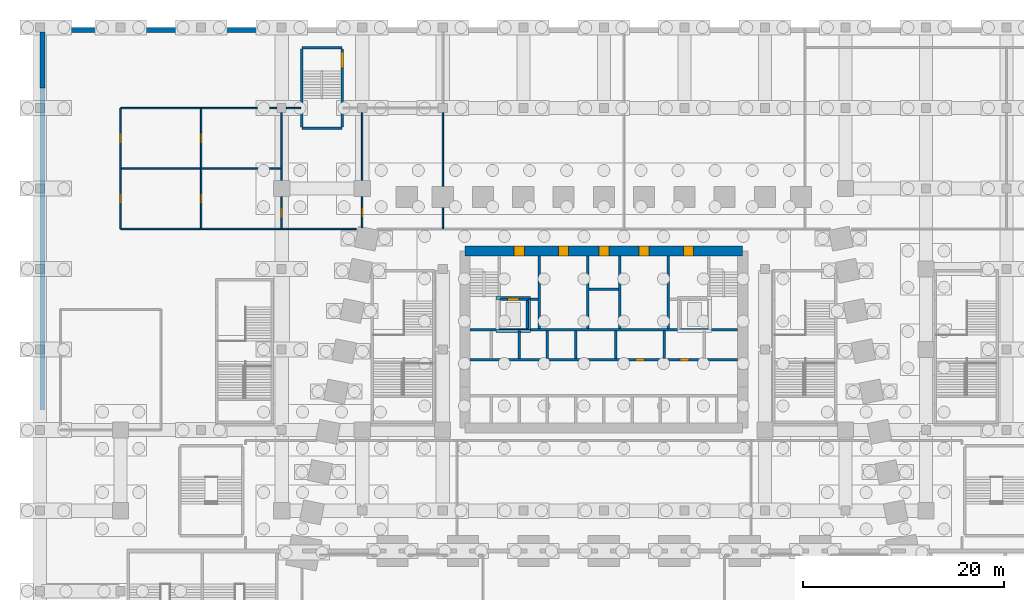
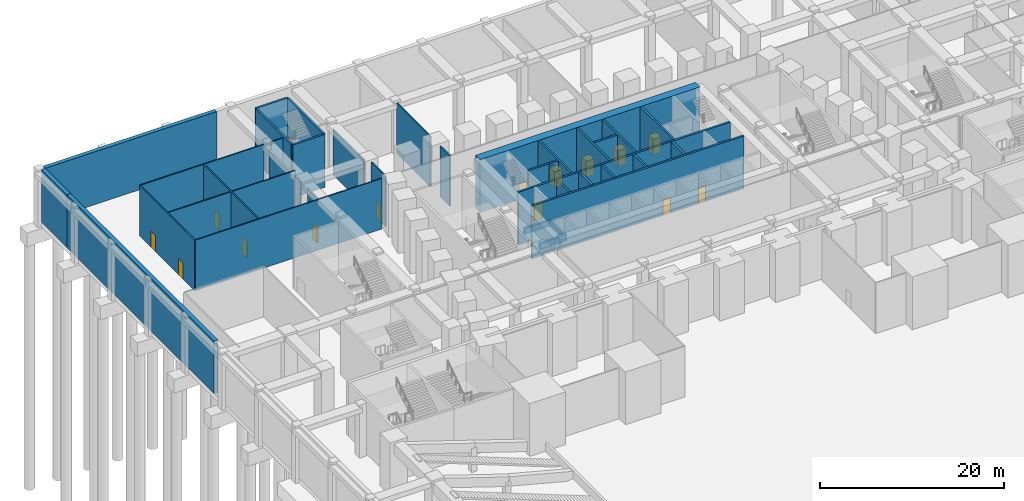
# One storey, part 11 of 30: 37 walls, 15 doors, 15 openings.
"""IFC4 building model written with IfcOpenShell, lengths in metres."""

from ifc_helpers import new_model, si_unit, direction, frame, frame_2d, origin, place, context, subcontext, project, spatial, rectangle, extrude, material, layer, layer_set, type_object, element, fill, save


model = new_model("IFC4")

# Units and contexts
model_context = context("Model", 3, precision=1e-05, world=origin(), true_north=direction((0.0, 1.0)))
body_context = subcontext(model_context, "Body", "Model", "MODEL_VIEW")
ifc_project = project(units=[si_unit("LENGTHUNIT", "METRE"), si_unit("AREAUNIT", "SQUARE_METRE"), si_unit("VOLUMEUNIT", "CUBIC_METRE"), si_unit("PLANEANGLEUNIT", "RADIAN"), si_unit("MASSUNIT", "GRAM", prefix="KILO")], contexts=[model_context])

# Site, building, storey
site_placement = place(None, origin())
site = spatial("IfcSite", under=ifc_project, at=site_placement, CompositionType="ELEMENT")
building_placement = place(site_placement, origin())
building = spatial("IfcBuilding", under=site, at=building_placement, Name="Isbrekke Arena Tower", CompositionType="ELEMENT")
storey_placement = place(building_placement, frame((0.0, 0.0, -7.0)))
storey = spatial("IfcBuildingStorey", under=building, at=storey_placement, Name="B1", CompositionType="ELEMENT", Elevation=-7.0)

# Wall, openings, doors
ifc_material_1 = material(Name="Concrete B65 (C65/80)", Category="concrete")
ifc_layer_1 = layer(ifc_material_1, 1.0)
ifc_layer_set_1 = layer_set([ifc_layer_1], Name="CW1 CORE WALL 1000")
wall_type_1 = type_object("IfcWallType", Name="CW1 CORE WALL 1000", PredefinedType="SHEAR", material=ifc_layer_set_1)
wall_1_placement = place(storey_placement, frame((13.800048828125, 23.800048828125, 0.0), z_axis=(0.0, 0.0, 1.0), x_axis=(-1.0, 0.0, 0.0)))
wall_1 = element("IfcWall", 1, at=wall_1_placement, inside=storey, type_object=wall_type_1, Name="Core wall N B1", PredefinedType="SHEAR", context=body_context, shape_type="SweptSolid", body=[
    extrude(rectangle(XDim=27.60009765625, YDim=1.0, at=frame_2d((13.800048828125, 0.0))), origin(), (0.0, 0.0, 1.0), 7.0),
])
opening_1_placement = place(wall_1_placement, frame((21.699951171875, 0.0, 0.0)))
opening_1 = element("IfcOpeningElement", 2, at=opening_1_placement, cuts=wall_1, Name="Opening D3", PredefinedType="OPENING", context=body_context, shape_type="SweptSolid", body=[
    extrude(rectangle(XDim=1.0, YDim=2.10009765625, at=frame_2d((0.5, 1.050048828125))), frame((0.0, 0.514892578125, 0.0), z_axis=(0.0, -1.0, 0.0), x_axis=(1.0, 0.0, 0.0)), (0.0, 0.0, 1.0), 1.02978515625),
])
opening_2_placement = place(wall_1_placement, frame((4.89990234375, 0.0, 0.0)))
opening_2 = element("IfcOpeningElement", 3, at=opening_2_placement, cuts=wall_1, Name="Opening D3", PredefinedType="OPENING", context=body_context, shape_type="SweptSolid", body=[
    extrude(rectangle(XDim=1.0, YDim=2.10009765625, at=frame_2d((0.5, 1.050048828125))), frame((0.0, 0.514892578125, 0.0), z_axis=(0.0, -1.0, 0.0), x_axis=(1.0, 0.0, 0.0)), (0.0, 0.0, 1.0), 1.02978515625),
])
opening_3_placement = place(wall_1_placement, frame((17.300048828125, 0.0, 0.0)))
opening_3 = element("IfcOpeningElement", 4, at=opening_3_placement, cuts=wall_1, Name="Opening D4", PredefinedType="OPENING", context=body_context, shape_type="SweptSolid", body=[
    extrude(rectangle(XDim=1.0, YDim=2.10009765625, at=frame_2d((0.5, 1.050048828125))), frame((0.0, 0.514892578125, 0.0), z_axis=(0.0, -1.0, 0.0), x_axis=(1.0, 0.0, 0.0)), (0.0, 0.0, 1.0), 1.02978515625),
])
opening_4_placement = place(wall_1_placement, frame((13.300048828125, 0.0, 0.0)))
opening_4 = element("IfcOpeningElement", 5, at=opening_4_placement, cuts=wall_1, Name="Opening D4", PredefinedType="OPENING", context=body_context, shape_type="SweptSolid", body=[
    extrude(rectangle(XDim=1.0, YDim=2.10009765625, at=frame_2d((0.5, 1.050048828125))), frame((0.0, 0.514892578125, 0.0), z_axis=(0.0, -1.0, 0.0), x_axis=(1.0, 0.0, 0.0)), (0.0, 0.0, 1.0), 1.02978515625),
])
opening_5_placement = place(wall_1_placement, frame((9.300048828125, 0.0, 0.0)))
opening_5 = element("IfcOpeningElement", 6, at=opening_5_placement, cuts=wall_1, Name="Opening D4", PredefinedType="OPENING", context=body_context, shape_type="SweptSolid", body=[
    extrude(rectangle(XDim=1.0, YDim=2.10009765625, at=frame_2d((0.5, 1.050048828125))), frame((0.0, 0.514892578125, 0.0), z_axis=(0.0, -1.0, 0.0), x_axis=(1.0, 0.0, 0.0)), (0.0, 0.0, 1.0), 1.02978515625),
])
ifc_material_2 = material(Name="Steel fire door", Category="steel")
door_type_1 = type_object("IfcDoorType", Name="D3 FIRE LOBBY DOOR 1000 x 2100", OperationType="SINGLE_SWING_RIGHT", PredefinedType="DOOR", material=ifc_material_2)
door_1_placement = place(opening_1_placement, origin())
door_1 = element("IfcDoor", 7, at=door_1_placement, inside=storey, type_object=door_type_1, Name="D3 fire-fighting lobby door B1", OperationType="SINGLE_SWING_RIGHT", OverallHeight=2.10009765625, OverallWidth=1.0, PredefinedType="DOOR", context=body_context, shape_type="SweptSolid", body=[
    extrude(rectangle(XDim=1.0, YDim=2.10009765625, at=frame_2d((0.5, 1.050048828125))), frame((0.0, 0.499755859375, 0.0), z_axis=(0.0, -1.0, 0.0), x_axis=(1.0, 0.0, 0.0)), (0.0, 0.0, 1.0), 0.99951171875),
])
fill(opening_1, door_1)
door_2_placement = place(opening_2_placement, origin())
door_2 = element("IfcDoor", 8, at=door_2_placement, inside=storey, type_object=door_type_1, Name="D3 fire-fighting lobby door B1", OperationType="SINGLE_SWING_RIGHT", OverallHeight=2.10009765625, OverallWidth=1.0, PredefinedType="DOOR", context=body_context, shape_type="SweptSolid", body=[
    extrude(rectangle(XDim=1.0, YDim=2.10009765625, at=frame_2d((0.5, 1.050048828125))), frame((0.0, 0.499755859375, 0.0), z_axis=(0.0, -1.0, 0.0), x_axis=(1.0, 0.0, 0.0)), (0.0, 0.0, 1.0), 0.99951171875),
])
fill(opening_2, door_2)
ifc_material_3 = material(Name="Timber door", Category="wood")
door_type_2 = type_object("IfcDoorType", Name="D4 WC DOOR 1000 x 2100", OperationType="SINGLE_SWING_LEFT", PredefinedType="DOOR", material=ifc_material_3)
door_3_placement = place(opening_3_placement, origin())
door_3 = element("IfcDoor", 9, at=door_3_placement, inside=storey, type_object=door_type_2, Name="D4 wc female door B1", OperationType="SINGLE_SWING_LEFT", OverallHeight=2.10009765625, OverallWidth=1.0, PredefinedType="DOOR", context=body_context, shape_type="SweptSolid", body=[
    extrude(rectangle(XDim=1.0, YDim=2.10009765625, at=frame_2d((0.5, 1.050048828125))), frame((0.0, 0.499755859375, 0.0), z_axis=(0.0, -1.0, 0.0), x_axis=(1.0, 0.0, 0.0)), (0.0, 0.0, 1.0), 0.99951171875),
])
fill(opening_3, door_3)
door_4_placement = place(opening_4_placement, origin())
door_4 = element("IfcDoor", 10, at=door_4_placement, inside=storey, type_object=door_type_2, Name="D4 accessible wc door B1", OperationType="SINGLE_SWING_LEFT", OverallHeight=2.10009765625, OverallWidth=1.0, PredefinedType="DOOR", context=body_context, shape_type="SweptSolid", body=[
    extrude(rectangle(XDim=1.0, YDim=2.10009765625, at=frame_2d((0.5, 1.050048828125))), frame((0.0, 0.499755859375, 0.0), z_axis=(0.0, -1.0, 0.0), x_axis=(1.0, 0.0, 0.0)), (0.0, 0.0, 1.0), 0.99951171875),
])
fill(opening_4, door_4)
door_5_placement = place(opening_5_placement, origin())
door_5 = element("IfcDoor", 11, at=door_5_placement, inside=storey, type_object=door_type_2, Name="D4 wc male door B1", OperationType="SINGLE_SWING_LEFT", OverallHeight=2.10009765625, OverallWidth=1.0, PredefinedType="DOOR", context=body_context, shape_type="SweptSolid", body=[
    extrude(rectangle(XDim=1.0, YDim=2.10009765625, at=frame_2d((0.5, 1.050048828125))), frame((0.0, 0.499755859375, 0.0), z_axis=(0.0, -1.0, 0.0), x_axis=(1.0, 0.0, 0.0)), (0.0, 0.0, 1.0), 0.99951171875),
])
fill(opening_5, door_5)

ifc_material_4 = material(Name="Concrete B45 (C45/55)", Category="concrete")
ifc_layer_2 = layer(ifc_material_4, 0.25)
ifc_layer_set_2 = layer_set([ifc_layer_2], Name="CW6 SHAFT WALL 250")
wall_type_2 = type_object("IfcWallType", Name="CW6 SHAFT WALL 250", PredefinedType="SHEAR", material=ifc_layer_set_2)
wall_2_placement = place(storey_placement, frame((-13.300048828125, 13.0, 0.0), z_axis=(0.0, 0.0, 1.0), x_axis=(1.0, 0.0, 0.0)))
wall_2 = element("IfcWall", 12, at=wall_2_placement, inside=storey, type_object=wall_type_2, Name="Core wall LN B1", PredefinedType="SHEAR", context=body_context, shape_type="SweptSolid", body=[
    extrude(rectangle(XDim=26.60009765625, YDim=0.25, at=frame_2d((13.300048828125, 0.0))), origin(), (0.0, 0.0, 1.0), 7.0),
])
opening_6_placement = place(wall_2_placement, frame((16.449951171875, 0.0, 0.0)))
opening_6 = element("IfcOpeningElement", 13, at=opening_6_placement, cuts=wall_2, Name="Opening D5", PredefinedType="OPENING", context=body_context, shape_type="SweptSolid", body=[
    extrude(rectangle(XDim=0.89990234375, YDim=2.10009765625, at=frame_2d((0.449951171875, 1.050048828125))), frame((0.0, 0.139892578125, 0.0), z_axis=(0.0, -1.0, 0.0), x_axis=(1.0, 0.0, 0.0)), (0.0, 0.0, 1.0), 0.27978515625),
])
opening_7_placement = place(wall_2_placement, frame((20.85009765625, 0.0, 0.0)))
opening_7 = element("IfcOpeningElement", 14, at=opening_7_placement, cuts=wall_2, Name="Opening D5", PredefinedType="OPENING", context=body_context, shape_type="SweptSolid", body=[
    extrude(rectangle(XDim=0.89990234375, YDim=2.10009765625, at=frame_2d((0.449951171875, 1.050048828125))), frame((0.0, 0.139892578125, 0.0), z_axis=(0.0, -1.0, 0.0), x_axis=(1.0, 0.0, 0.0)), (0.0, 0.0, 1.0), 0.27978515625),
])
ifc_material_5 = material(Name="Steel fire door", Category="steel")
door_type_3 = type_object("IfcDoorType", Name="D5 SERVICE DOOR 900 x 2100", OperationType="SINGLE_SWING_LEFT", PredefinedType="DOOR", material=ifc_material_5)
door_6_placement = place(opening_6_placement, origin())
door_6 = element("IfcDoor", 15, at=door_6_placement, inside=storey, type_object=door_type_3, Name="D5 cleaner's store door B1", OperationType="SINGLE_SWING_LEFT", OverallHeight=2.10009765625, OverallWidth=0.89990234375, PredefinedType="DOOR", context=body_context, shape_type="SweptSolid", body=[
    extrude(rectangle(XDim=0.89990234375, YDim=2.10009765625, at=frame_2d((0.449951171875, 1.050048828125))), frame((0.0, 0.124755859375, 0.0), z_axis=(0.0, -1.0, 0.0), x_axis=(1.0, 0.0, 0.0)), (0.0, 0.0, 1.0), 0.24951171875),
])
fill(opening_6, door_6)
door_7_placement = place(opening_7_placement, origin())
door_7 = element("IfcDoor", 16, at=door_7_placement, inside=storey, type_object=door_type_3, Name="D5 communications room door B1", OperationType="SINGLE_SWING_LEFT", OverallHeight=2.10009765625, OverallWidth=0.89990234375, PredefinedType="DOOR", context=body_context, shape_type="SweptSolid", body=[
    extrude(rectangle(XDim=0.89990234375, YDim=2.10009765625, at=frame_2d((0.449951171875, 1.050048828125))), frame((0.0, 0.124755859375, 0.0), z_axis=(0.0, -1.0, 0.0), x_axis=(1.0, 0.0, 0.0)), (0.0, 0.0, 1.0), 0.24951171875),
])
fill(opening_7, door_7)

# Walls
wall_3_placement = place(storey_placement, frame((-13.300048828125, 16.0, 0.0), z_axis=(0.0, 0.0, 1.0), x_axis=(1.0, 0.0, 0.0)))
element("IfcWall", 17, at=wall_3_placement, inside=storey, type_object=wall_type_2, Name="Core wall NB B1", PredefinedType="SHEAR", context=body_context, shape_type="SweptSolid", body=[
    extrude(rectangle(XDim=26.60009765625, YDim=0.25, at=frame_2d((13.300048828125, 0.0))), origin(), (0.0, 0.0, 1.0), 7.0),
])
for number, where, z_axis, x_axis, name in (
    (18, (-8.39990234375, 13.125, 0.0), (0.0, 0.0, 1.0), (0.0, 1.0, 0.0), "Core wall SN02 B1"),
    (19, (-5.60009765625, 13.125, 0.0), (0.0, 0.0, 1.0), (0.0, 1.0, 0.0), "Core wall SN03 B1"),
    (20, (-2.800048828125, 13.125, 0.0), (0.0, 0.0, 1.0), (0.0, 1.0, 0.0), "Core wall SN04 B1"),
    (21, (1.199951171875, 13.125, 0.0), (0.0, 0.0, 1.0), (0.0, 1.0, 0.0), "Core wall SN05 B1"),
    (22, (6.0, 13.125, 0.0), (0.0, 0.0, 1.0), (0.0, 1.0, 0.0), "Core wall SN06 B1"),
):
    element("IfcWall", number, at=place(storey_placement, frame(where, z_axis=z_axis, x_axis=x_axis)), inside=storey, type_object=wall_type_2, Name=name, PredefinedType="SHEAR", context=body_context, shape_type="SweptSolid", body=[
        extrude(rectangle(XDim=2.75, YDim=0.25, at=frame_2d((1.375, 0.0))), origin(), (0.0, 0.0, 1.0), 7.0),
    ])
for number, where, z_axis, x_axis, name in (
    (23, (-6.39990234375, 16.125, 0.0), (0.0, 0.0, 1.0), (0.0, 1.0, 0.0), "Core wall NV02 B1"),
    (24, (-1.60009765625, 16.125, 0.0), (0.0, 0.0, 1.0), (0.0, 1.0, 0.0), "Core wall NV03 B1"),
    (25, (1.60009765625, 16.125, 0.0), (0.0, 0.0, 1.0), (0.0, 1.0, 0.0), "Core wall NV04 B1"),
    (26, (6.39990234375, 16.125, 0.0), (0.0, 0.0, 1.0), (0.0, 1.0, 0.0), "Core wall NV05 B1"),
):
    element("IfcWall", number, at=place(storey_placement, frame(where, z_axis=z_axis, x_axis=x_axis)), inside=storey, type_object=wall_type_2, Name=name, PredefinedType="SHEAR", context=body_context, shape_type="SweptSolid", body=[
        extrude(rectangle(XDim=7.175048828125, YDim=0.25, at=frame_2d((3.58740234375, 0.0))), origin(), (0.0, 0.0, 1.0), 7.0),
    ])

# Wall, opening, door
wall_4_placement = place(storey_placement, frame((-10.27490234375, 19.0, 0.0), z_axis=(0.0, 0.0, 1.0), x_axis=(1.0, 0.0, 0.0)))
wall_4 = element("IfcWall", 27, at=wall_4_placement, inside=storey, type_object=wall_type_2, Name="Core wall NFW B1", PredefinedType="SHEAR", context=body_context, shape_type="SweptSolid", body=[
    extrude(rectangle(XDim=3.75, YDim=0.25, at=frame_2d((1.875, 0.0))), origin(), (0.0, 0.0, 1.0), 7.0),
])
opening_8_placement = place(wall_4_placement, frame((0.72509765625, 0.0, 0.0)))
opening_8 = element("IfcOpeningElement", 28, at=opening_8_placement, cuts=wall_4, Name="Opening LD2", PredefinedType="OPENING", context=body_context, shape_type="SweptSolid", body=[
    extrude(rectangle(XDim=1.10009765625, YDim=2.10009765625, at=frame_2d((0.550048828125, 1.050048828125))), frame((0.0, 0.139892578125, 0.0), z_axis=(0.0, -1.0, 0.0), x_axis=(1.0, 0.0, 0.0)), (0.0, 0.0, 1.0), 0.27978515625),
])
ifc_material_6 = material(Name="Stainless steel lift landing door", Category="steel")
door_type_4 = type_object("IfcDoorType", Name="LD2 FIRE-FIGHTING LIFT LANDING DOOR 1100 x 2100", OperationType="SLIDING_TO_RIGHT", PredefinedType="DOOR", material=ifc_material_6)
door_8_placement = place(opening_8_placement, origin())
door_8 = element("IfcDoor", 29, at=door_8_placement, inside=storey, type_object=door_type_4, Name="LD2 lift landing door LF B1", OperationType="SLIDING_TO_RIGHT", OverallHeight=2.10009765625, OverallWidth=1.10009765625, PredefinedType="DOOR", context=body_context, shape_type="SweptSolid", body=[
    extrude(rectangle(XDim=1.10009765625, YDim=2.10009765625, at=frame_2d((0.550048828125, 1.050048828125))), frame((0.0, 0.124755859375, 0.0), z_axis=(0.0, -1.0, 0.0), x_axis=(1.0, 0.0, 0.0)), (0.0, 0.0, 1.0), 0.24951171875),
])
fill(opening_8, door_8)

# Walls
wall_5_placement = place(storey_placement, frame((-7.60009765625, 16.125, 0.0), z_axis=(0.0, 0.0, 1.0), x_axis=(0.0, 1.0, 0.0)))
element("IfcWall", 30, at=wall_5_placement, inside=storey, type_object=wall_type_2, Name="Core wall NFS1 B1", PredefinedType="SHEAR", context=body_context, shape_type="SweptSolid", body=[
    extrude(rectangle(XDim=2.75, YDim=0.25, at=frame_2d((1.375, 0.0))), origin(), (0.0, 0.0, 1.0), 7.0),
])
wall_6_placement = place(storey_placement, frame((-1.47509765625, 20.0, 0.0), z_axis=(0.0, 0.0, 1.0), x_axis=(1.0, 0.0, 0.0)))
element("IfcWall", 31, at=wall_6_placement, inside=storey, type_object=wall_type_2, Name="Core wall NWC B1", PredefinedType="SHEAR", context=body_context, shape_type="SweptSolid", body=[
    extrude(rectangle(XDim=2.9501953125, YDim=0.25, at=frame_2d((1.47509765625, 0.0))), origin(), (0.0, 0.0, 1.0), 7.0),
])

# Wall, openings, doors
ifc_material_7 = material(Name="Gypsum board partition on steel studs", Category="steel")
ifc_layer_3 = layer(ifc_material_7, 0.14990234375)
ifc_layer_set_3 = layer_set([ifc_layer_3], Name="IW1 PARTITION 150")
wall_type_3 = type_object("IfcWallType", Name="IW1 PARTITION 150", PredefinedType="PARTITIONING", material=ifc_layer_set_3)
wall_7_placement = place(storey_placement, frame((-48.0, 26.0, 0.0), z_axis=(0.0, 0.0, 1.0), x_axis=(0.0, 1.0, 0.0)))
wall_7 = element("IfcWall", 32, at=wall_7_placement, inside=storey, type_object=wall_type_3, Name="IW1 partition B1", PredefinedType="PARTITIONING", context=body_context, shape_type="SweptSolid", body=[
    extrude(rectangle(XDim=12.0, YDim=0.14990234375, at=frame_2d((6.0, 0.0))), origin(), (0.0, 0.0, 1.0), 6.699951171875),
])
opening_9_placement = place(wall_7_placement, frame((2.5, 0.0, 0.0)))
opening_9 = element("IfcOpeningElement", 33, at=opening_9_placement, cuts=wall_7, Name="Opening D6", PredefinedType="OPENING", context=body_context, shape_type="SweptSolid", body=[
    extrude(rectangle(XDim=1.0, YDim=2.10009765625, at=frame_2d((0.5, 1.050048828125))), frame((0.0, 0.08984375, 0.0), z_axis=(0.0, -1.0, 0.0), x_axis=(1.0, 0.0, 0.0)), (0.0, 0.0, 1.0), 0.1796875),
])
opening_10_placement = place(wall_7_placement, frame((8.5, 0.0, 0.0)))
opening_10 = element("IfcOpeningElement", 34, at=opening_10_placement, cuts=wall_7, Name="Opening D6", PredefinedType="OPENING", context=body_context, shape_type="SweptSolid", body=[
    extrude(rectangle(XDim=1.0, YDim=2.10009765625, at=frame_2d((0.5, 1.050048828125))), frame((0.0, 0.08984375, 0.0), z_axis=(0.0, -1.0, 0.0), x_axis=(1.0, 0.0, 0.0)), (0.0, 0.0, 1.0), 0.1796875),
])
ifc_material_8 = material(Name="Timber door", Category="wood")
door_type_5 = type_object("IfcDoorType", Name="D6 ROOM DOOR 1000 x 2100", OperationType="SINGLE_SWING_LEFT", PredefinedType="DOOR", material=ifc_material_8)
door_9_placement = place(opening_9_placement, origin())
door_9 = element("IfcDoor", 35, at=door_9_placement, inside=storey, type_object=door_type_5, Name="D6 door B1-04", OperationType="SINGLE_SWING_LEFT", OverallHeight=2.10009765625, OverallWidth=1.0, PredefinedType="DOOR", context=body_context, shape_type="SweptSolid", body=[
    extrude(rectangle(XDim=1.0, YDim=2.10009765625, at=frame_2d((0.5, 1.050048828125))), frame((0.0, 0.07470703125, 0.0), z_axis=(0.0, -1.0, 0.0), x_axis=(1.0, 0.0, 0.0)), (0.0, 0.0, 1.0), 0.1494140625),
])
fill(opening_9, door_9)
door_10_placement = place(opening_10_placement, origin())
door_10 = element("IfcDoor", 36, at=door_10_placement, inside=storey, type_object=door_type_5, Name="D6 door B1-05", OperationType="SINGLE_SWING_LEFT", OverallHeight=2.10009765625, OverallWidth=1.0, PredefinedType="DOOR", context=body_context, shape_type="SweptSolid", body=[
    extrude(rectangle(XDim=1.0, YDim=2.10009765625, at=frame_2d((0.5, 1.050048828125))), frame((0.0, 0.07470703125, 0.0), z_axis=(0.0, -1.0, 0.0), x_axis=(1.0, 0.0, 0.0)), (0.0, 0.0, 1.0), 0.1494140625),
])
fill(opening_10, door_10)

wall_8_placement = place(storey_placement, frame((-40.0, 26.0, 0.0), z_axis=(0.0, 0.0, 1.0), x_axis=(0.0, 1.0, 0.0)))
wall_8 = element("IfcWall", 37, at=wall_8_placement, inside=storey, type_object=wall_type_3, Name="IW1 partition B1", PredefinedType="PARTITIONING", context=body_context, shape_type="SweptSolid", body=[
    extrude(rectangle(XDim=12.0, YDim=0.14990234375, at=frame_2d((6.0, 0.0))), origin(), (0.0, 0.0, 1.0), 6.699951171875),
])
opening_11_placement = place(wall_8_placement, frame((2.5, 0.0, 0.0)))
opening_11 = element("IfcOpeningElement", 38, at=opening_11_placement, cuts=wall_8, Name="Opening D6", PredefinedType="OPENING", context=body_context, shape_type="SweptSolid", body=[
    extrude(rectangle(XDim=1.0, YDim=2.10009765625, at=frame_2d((0.5, 1.050048828125))), frame((0.0, 0.08984375, 0.0), z_axis=(0.0, -1.0, 0.0), x_axis=(1.0, 0.0, 0.0)), (0.0, 0.0, 1.0), 0.1796875),
])
opening_12_placement = place(wall_8_placement, frame((8.5, 0.0, 0.0)))
opening_12 = element("IfcOpeningElement", 39, at=opening_12_placement, cuts=wall_8, Name="Opening D6", PredefinedType="OPENING", context=body_context, shape_type="SweptSolid", body=[
    extrude(rectangle(XDim=1.0, YDim=2.10009765625, at=frame_2d((0.5, 1.050048828125))), frame((0.0, 0.08984375, 0.0), z_axis=(0.0, -1.0, 0.0), x_axis=(1.0, 0.0, 0.0)), (0.0, 0.0, 1.0), 0.1796875),
])
door_11_placement = place(opening_11_placement, origin())
door_11 = element("IfcDoor", 40, at=door_11_placement, inside=storey, type_object=door_type_5, Name="D6 door B1-06", OperationType="SINGLE_SWING_LEFT", OverallHeight=2.10009765625, OverallWidth=1.0, PredefinedType="DOOR", context=body_context, shape_type="SweptSolid", body=[
    extrude(rectangle(XDim=1.0, YDim=2.10009765625, at=frame_2d((0.5, 1.050048828125))), frame((0.0, 0.07470703125, 0.0), z_axis=(0.0, -1.0, 0.0), x_axis=(1.0, 0.0, 0.0)), (0.0, 0.0, 1.0), 0.1494140625),
])
fill(opening_11, door_11)
door_12_placement = place(opening_12_placement, origin())
door_12 = element("IfcDoor", 41, at=door_12_placement, inside=storey, type_object=door_type_5, Name="D6 door B1-07", OperationType="SINGLE_SWING_LEFT", OverallHeight=2.10009765625, OverallWidth=1.0, PredefinedType="DOOR", context=body_context, shape_type="SweptSolid", body=[
    extrude(rectangle(XDim=1.0, YDim=2.10009765625, at=frame_2d((0.5, 1.050048828125))), frame((0.0, 0.07470703125, 0.0), z_axis=(0.0, -1.0, 0.0), x_axis=(1.0, 0.0, 0.0)), (0.0, 0.0, 1.0), 0.1494140625),
])
fill(opening_12, door_12)

# Wall, opening, door
wall_9_placement = place(storey_placement, frame((-32.0, 26.0, 0.0), z_axis=(0.0, 0.0, 1.0), x_axis=(0.0, 1.0, 0.0)))
wall_9 = element("IfcWall", 42, at=wall_9_placement, inside=storey, type_object=wall_type_3, Name="IW1 partition B1", PredefinedType="PARTITIONING", context=body_context, shape_type="SweptSolid", body=[
    extrude(rectangle(XDim=3.18994140625, YDim=0.14990234375, at=frame_2d((1.594970703125, 0.0))), origin(), (0.0, 0.0, 1.0), 6.050048828125),
])
opening_13_placement = place(wall_9_placement, frame((1.094970703125, 0.0, 0.0)))
opening_13 = element("IfcOpeningElement", 43, at=opening_13_placement, cuts=wall_9, Name="Opening D6", PredefinedType="OPENING", context=body_context, shape_type="SweptSolid", body=[
    extrude(rectangle(XDim=1.0, YDim=2.10009765625, at=frame_2d((0.5, 1.050048828125))), frame((0.0, 0.08984375, 0.0), z_axis=(0.0, -1.0, 0.0), x_axis=(1.0, 0.0, 0.0)), (0.0, 0.0, 1.0), 0.1796875),
])
door_13_placement = place(opening_13_placement, origin())
door_13 = element("IfcDoor", 44, at=door_13_placement, inside=storey, type_object=door_type_5, Name="D6 door B1-08", OperationType="SINGLE_SWING_LEFT", OverallHeight=2.10009765625, OverallWidth=1.0, PredefinedType="DOOR", context=body_context, shape_type="SweptSolid", body=[
    extrude(rectangle(XDim=1.0, YDim=2.10009765625, at=frame_2d((0.5, 1.050048828125))), frame((0.0, 0.07470703125, 0.0), z_axis=(0.0, -1.0, 0.0), x_axis=(1.0, 0.0, 0.0)), (0.0, 0.0, 1.0), 0.1494140625),
])
fill(opening_13, door_13)

# Wall
wall_10_placement = place(storey_placement, frame((-32.0, 30.81005859375, 0.0), z_axis=(0.0, 0.0, 1.0), x_axis=(0.0, 1.0, 0.0)))
element("IfcWall", 45, at=wall_10_placement, inside=storey, type_object=wall_type_3, Name="IW1 partition B1", PredefinedType="PARTITIONING", context=body_context, shape_type="SweptSolid", body=[
    extrude(rectangle(XDim=6.72998046875, YDim=0.14990234375, at=frame_2d((3.364990234375, 0.0))), origin(), (0.0, 0.0, 1.0), 6.050048828125),
])

# Wall, opening, door
wall_11_placement = place(storey_placement, frame((-24.0, 26.089111328125, 0.0), z_axis=(0.0, 0.0, 1.0), x_axis=(0.0, 1.0, 0.0)))
wall_11 = element("IfcWall", 46, at=wall_11_placement, inside=storey, type_object=wall_type_3, Name="IW1 partition B1", PredefinedType="PARTITIONING", context=body_context, shape_type="SweptSolid", body=[
    extrude(rectangle(XDim=3.100830078125, YDim=0.14990234375, at=frame_2d((1.55029296875, 0.0))), origin(), (0.0, 0.0, 1.0), 6.699951171875),
])
opening_14_placement = place(wall_11_placement, frame((1.05029296875, 0.0, 0.0)))
opening_14 = element("IfcOpeningElement", 47, at=opening_14_placement, cuts=wall_11, Name="Opening D6", PredefinedType="OPENING", context=body_context, shape_type="SweptSolid", body=[
    extrude(rectangle(XDim=1.0, YDim=2.10009765625, at=frame_2d((0.5, 1.050048828125))), frame((0.0, 0.08984375, 0.0), z_axis=(0.0, -1.0, 0.0), x_axis=(1.0, 0.0, 0.0)), (0.0, 0.0, 1.0), 0.1796875),
])
door_14_placement = place(opening_14_placement, origin())
door_14 = element("IfcDoor", 48, at=door_14_placement, inside=storey, type_object=door_type_5, Name="D6 door B1-15", OperationType="SINGLE_SWING_LEFT", OverallHeight=2.10009765625, OverallWidth=1.0, PredefinedType="DOOR", context=body_context, shape_type="SweptSolid", body=[
    extrude(rectangle(XDim=1.0, YDim=2.10009765625, at=frame_2d((0.5, 1.050048828125))), frame((0.0, 0.07470703125, 0.0), z_axis=(0.0, -1.0, 0.0), x_axis=(1.0, 0.0, 0.0)), (0.0, 0.0, 1.0), 0.1494140625),
])
fill(opening_14, door_14)

# Walls
wall_12_placement = place(storey_placement, frame((-24.0, 30.81005859375, 0.0), z_axis=(0.0, 0.0, 1.0), x_axis=(0.0, 1.0, 0.0)))
element("IfcWall", 49, at=wall_12_placement, inside=storey, type_object=wall_type_3, Name="IW1 partition B1", PredefinedType="PARTITIONING", context=body_context, shape_type="SweptSolid", body=[
    extrude(rectangle(XDim=6.72998046875, YDim=0.14990234375, at=frame_2d((3.364990234375, 0.0))), origin(), (0.0, 0.0, 1.0), 6.050048828125),
])
wall_13_placement = place(storey_placement, frame((-16.0, 26.0, 0.0), z_axis=(0.0, 0.0, 1.0), x_axis=(0.0, 1.0, 0.0)))
element("IfcWall", 50, at=wall_13_placement, inside=storey, type_object=wall_type_3, Name="IW1 partition B1", PredefinedType="PARTITIONING", context=body_context, shape_type="SweptSolid", body=[
    extrude(rectangle(XDim=2.114990234375, YDim=0.14990234375, at=frame_2d((1.0576171875, 0.0))), origin(), (0.0, 0.0, 1.0), 6.699951171875),
])
wall_14_placement = place(storey_placement, frame((-16.0, 30.235107421875, 0.0), z_axis=(0.0, 0.0, 1.0), x_axis=(0.0, 1.0, 0.0)))
element("IfcWall", 51, at=wall_14_placement, inside=storey, type_object=wall_type_3, Name="IW1 partition B1", PredefinedType="PARTITIONING", context=body_context, shape_type="SweptSolid", body=[
    extrude(rectangle(XDim=7.304931640625, YDim=0.14990234375, at=frame_2d((3.65234375, 0.0))), origin(), (0.0, 0.0, 1.0), 6.699951171875),
])
wall_15_placement = place(storey_placement, frame((-48.0, 26.0, 0.0), z_axis=(0.0, 0.0, 1.0), x_axis=(1.0, 0.0, 0.0)))
element("IfcWall", 52, at=wall_15_placement, inside=storey, type_object=wall_type_3, Name="IW1 partition B1", PredefinedType="PARTITIONING", context=body_context, shape_type="SweptSolid", body=[
    extrude(rectangle(XDim=23.38720703125, YDim=0.14990234375, at=frame_2d((11.693603515625, 0.0))), origin(), (0.0, 0.0, 1.0), 6.699951171875),
])
wall_16_placement = place(storey_placement, frame((-48.0, 32.0, 0.0), z_axis=(0.0, 0.0, 1.0), x_axis=(1.0, 0.0, 0.0)))
element("IfcWall", 53, at=wall_16_placement, inside=storey, type_object=wall_type_3, Name="IW1 partition B1", PredefinedType="PARTITIONING", context=body_context, shape_type="SweptSolid", body=[
    extrude(rectangle(XDim=16.0, YDim=0.14990234375, at=frame_2d((8.0, 0.0))), origin(), (0.0, 0.0, 1.0), 6.699951171875),
])
wall_17_placement = place(storey_placement, frame((-48.0, 38.0, 0.0), z_axis=(0.0, 0.0, 1.0), x_axis=(1.0, 0.0, 0.0)))
element("IfcWall", 54, at=wall_17_placement, inside=storey, type_object=wall_type_3, Name="IW1 partition B1", PredefinedType="PARTITIONING", context=body_context, shape_type="SweptSolid", body=[
    extrude(rectangle(XDim=15.5400390625, YDim=0.14990234375, at=frame_2d((7.77001953125, 0.0))), origin(), (0.0, 0.0, 1.0), 6.699951171875),
])
wall_18_placement = place(storey_placement, frame((-31.5400390625, 38.0, 0.0), z_axis=(0.0, 0.0, 1.0), x_axis=(1.0, 0.0, 0.0)))
element("IfcWall", 55, at=wall_18_placement, inside=storey, type_object=wall_type_3, Name="IW1 partition B1", PredefinedType="PARTITIONING", context=body_context, shape_type="SweptSolid", body=[
    extrude(rectangle(XDim=1.4150390625, YDim=0.14990234375, at=frame_2d((0.70751953125, 0.0))), origin(), (0.0, 0.0, 1.0), 6.699951171875),
])
ifc_material_9 = material(Name="Concrete B45 (C45/55)", Category="concrete")
ifc_layer_4 = layer(ifc_material_9, 0.300048828125)
ifc_layer_set_4 = layer_set([ifc_layer_4], Name="PW2 LIFT PIT WALL 300")
wall_type_4 = type_object("IfcWallType", Name="PW2 LIFT PIT WALL 300", PredefinedType="SHEAR", material=ifc_layer_set_4)
for number, where, z_axis, x_axis, name in (
    (56, (-10.699951171875, 15.85009765625, -1.39990234375), (0.0, 0.0, 1.0), (1.0, 0.0, 0.0), "PW2 lift pit wall F2 S"),
    (57, (-10.699951171875, 19.14990234375, -1.39990234375), (0.0, 0.0, 1.0), (1.0, 0.0, 0.0), "PW2 lift pit wall F2 N"),
):
    element("IfcWall", number, at=place(storey_placement, frame(where, z_axis=z_axis, x_axis=x_axis)), inside=storey, type_object=wall_type_4, Name=name, PredefinedType="SHEAR", context=body_context, shape_type="SweptSolid", body=[
        extrude(rectangle(XDim=3.39990234375, YDim=0.300048828125, at=frame_2d((1.699951171875, 0.0))), origin(), (0.0, 0.0, 1.0), 0.7998046875),
    ])
wall_19_placement = place(storey_placement, frame((-7.449951171875, 16.0, -1.39990234375), z_axis=(0.0, 0.0, 1.0), x_axis=(0.0, 1.0, 0.0)))
element("IfcWall", 58, at=wall_19_placement, inside=storey, type_object=wall_type_4, Name="PW2 lift pit wall F2 E", PredefinedType="SHEAR", context=body_context, shape_type="SweptSolid", body=[
    extrude(rectangle(XDim=3.0, YDim=0.300048828125, at=frame_2d((1.5, 0.0))), origin(), (0.0, 0.0, 1.0), 0.7998046875),
])
ifc_material_10 = material(Name="Concrete B45 (C45/55)", Category="concrete")
ifc_layer_5 = layer(ifc_material_10, 0.5)
ifc_layer_set_5 = layer_set([ifc_layer_5], Name="RW1 BASEMENT RETAINING WALL 500")
wall_type_5 = type_object("IfcWallType", Name="RW1 BASEMENT RETAINING WALL 500", PredefinedType="SOLIDWALL", material=ifc_layer_set_5)
wall_20_placement = place(storey_placement, frame((-55.77490234375, 45.550048828125, 0.0), z_axis=(0.0, 0.0, 1.0), x_axis=(0.0, -1.0, 0.0)))
element("IfcWall", 59, at=wall_20_placement, inside=storey, type_object=wall_type_5, Name="RW1 retaining wall W2", PredefinedType="SOLIDWALL", context=body_context, shape_type="SweptSolid", body=[
    extrude(rectangle(XDim=5.550048828125, YDim=0.5, at=frame_2d((2.77490234375, 0.0))), origin(), (0.0, 0.0, 1.0), 7.0),
])
wall_21_placement = place(storey_placement, frame((-55.77490234375, 40.0, 0.0), z_axis=(0.0, 0.0, 1.0), x_axis=(0.0, -1.0, 0.0)))
element("IfcWall", 60, at=wall_21_placement, inside=storey, type_object=wall_type_5, Name="RW1 retaining wall W3", PredefinedType="SOLIDWALL", context=body_context, shape_type="SweptSolid", body=[
    extrude(rectangle(XDim=32.0, YDim=0.5, at=frame_2d((16.0, 0.0))), origin(), (0.0, 0.0, 1.0), 7.0),
])
wall_22_placement = place(storey_placement, frame((-34.0, 45.77490234375, 0.0), z_axis=(0.0, 0.0, 1.0), x_axis=(-1.0, 0.0, 0.0)))
element("IfcWall", 61, at=wall_22_placement, inside=storey, type_object=wall_type_5, Name="RW1 retaining wall N2", PredefinedType="SOLIDWALL", context=body_context, shape_type="SweptSolid", body=[
    extrude(rectangle(XDim=21.550048828125, YDim=0.5, at=frame_2d((10.77490234375, 0.0))), origin(), (0.0, 0.0, 1.0), 7.0),
])
ifc_material_11 = material(Name="Concrete B45 (C45/55)", Category="concrete")
ifc_layer_6 = layer(ifc_material_11, 0.25)
ifc_layer_set_6 = layer_set([ifc_layer_6], Name="SW1 STAIR ENCLOSURE WALL 250")
wall_type_6 = type_object("IfcWallType", Name="SW1 STAIR ENCLOSURE WALL 250", PredefinedType="SOLIDWALL", material=ifc_layer_set_6)
for number, where, z_axis, x_axis, name in (
    (62, (-30.0, 36.0, 0.0), (0.0, 0.0, 1.0), (1.0, 0.0, 0.0), "SW1 stair wall P2 S B1"),
    (63, (-26.0, 44.0, 0.0), (0.0, 0.0, 1.0), (-1.0, 0.0, 0.0), "SW1 stair wall P2 N B1"),
):
    element("IfcWall", number, at=place(storey_placement, frame(where, z_axis=z_axis, x_axis=x_axis)), inside=storey, type_object=wall_type_6, Name=name, PredefinedType="SOLIDWALL", context=body_context, shape_type="SweptSolid", body=[
        extrude(rectangle(XDim=4.0, YDim=0.25, at=frame_2d((2.0, 0.0))), origin(), (0.0, 0.0, 1.0), 7.0),
    ])

# Wall, opening, door
wall_23_placement = place(storey_placement, frame((-26.0, 36.125, 0.0), z_axis=(0.0, 0.0, 1.0), x_axis=(0.0, 1.0, 0.0)))
wall_23 = element("IfcWall", 64, at=wall_23_placement, inside=storey, type_object=wall_type_6, Name="SW1 stair wall P2 E B1", PredefinedType="SOLIDWALL", context=body_context, shape_type="SweptSolid", body=[
    extrude(rectangle(XDim=7.75, YDim=0.25, at=frame_2d((3.875, 0.0))), origin(), (0.0, 0.0, 1.0), 7.0),
])
opening_15_placement = place(wall_23_placement, frame((5.85009765625, 0.0, 0.0)))
opening_15 = element("IfcOpeningElement", 65, at=opening_15_placement, cuts=wall_23, Name="Opening D7", PredefinedType="OPENING", context=body_context, shape_type="SweptSolid", body=[
    extrude(rectangle(XDim=1.60009765625, YDim=2.10009765625, at=frame_2d((0.800048828125, 1.050048828125))), frame((0.0, 0.139892578125, 0.0), z_axis=(0.0, -1.0, 0.0), x_axis=(1.0, 0.0, 0.0)), (0.0, 0.0, 1.0), 0.27978515625),
])
ifc_material_12 = material(Name="Steel fire door", Category="steel")
door_type_6 = type_object("IfcDoorType", Name="D7 PODIUM STAIR DOOR 1600 x 2100", OperationType="DOUBLE_DOOR_SINGLE_SWING", PredefinedType="DOOR", material=ifc_material_12)
door_15_placement = place(opening_15_placement, origin())
door_15 = element("IfcDoor", 66, at=door_15_placement, inside=storey, type_object=door_type_6, Name="D7 stair door P2 B1", OperationType="DOUBLE_DOOR_SINGLE_SWING", OverallHeight=2.10009765625, OverallWidth=1.60009765625, PredefinedType="DOOR", context=body_context, shape_type="SweptSolid", body=[
    extrude(rectangle(XDim=1.60009765625, YDim=2.10009765625, at=frame_2d((0.800048828125, 1.050048828125))), frame((0.0, 0.124755859375, 0.0), z_axis=(0.0, -1.0, 0.0), x_axis=(1.0, 0.0, 0.0)), (0.0, 0.0, 1.0), 0.24951171875),
])
fill(opening_15, door_15)

# Wall
wall_24_placement = place(storey_placement, frame((-30.0, 43.875, 0.0), z_axis=(0.0, 0.0, 1.0), x_axis=(0.0, -1.0, 0.0)))
element("IfcWall", 67, at=wall_24_placement, inside=storey, type_object=wall_type_6, Name="SW1 stair wall P2 W B1", PredefinedType="SOLIDWALL", context=body_context, shape_type="SweptSolid", body=[
    extrude(rectangle(XDim=7.75, YDim=0.25, at=frame_2d((3.875, 0.0))), origin(), (0.0, 0.0, 1.0), 7.0),
])

save(model, "model.ifc")
